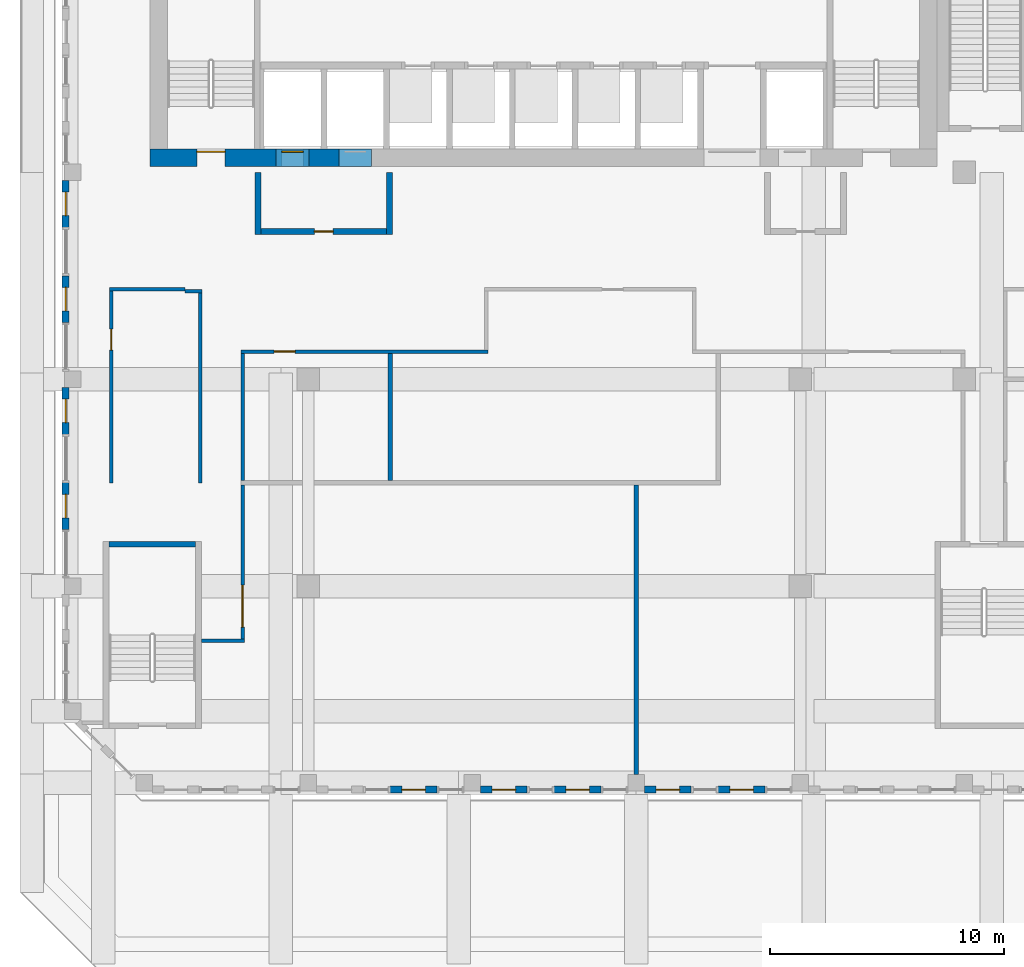
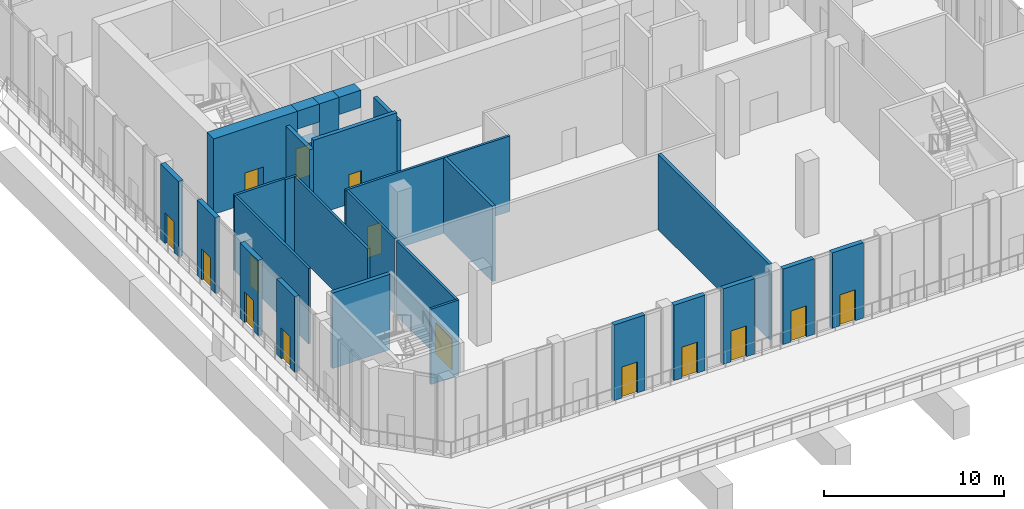
# One storey, part 9 of 18: 28 walls, 15 doors, 15 openings.
"""IFC4 building model written with IfcOpenShell, lengths in metres."""

from ifc_helpers import new_model, si_unit, direction, frame, frame_2d, origin, place, context, subcontext, project, spatial, rectangle, extrude, source, transform, mapped, material, layer, layer_set, type_object, element, fill, save


model = new_model("IFC4")

# Units and contexts
model_context = context("Model", 3, precision=1e-05, world=origin(), true_north=direction((0.0, 1.0)))
body_context = subcontext(model_context, "Body", "Model", "MODEL_VIEW")
ifc_project = project(units=[si_unit("LENGTHUNIT", "METRE"), si_unit("AREAUNIT", "SQUARE_METRE"), si_unit("VOLUMEUNIT", "CUBIC_METRE"), si_unit("PLANEANGLEUNIT", "RADIAN"), si_unit("MASSUNIT", "GRAM", prefix="KILO")], contexts=[model_context])

# Site, building, storey
site_placement = place(None, origin())
site = spatial("IfcSite", under=ifc_project, at=site_placement, CompositionType="ELEMENT")
building_placement = place(site_placement, origin())
building = spatial("IfcBuilding", under=site, at=building_placement, Name="Kilnfold Tower and Market Hall", CompositionType="ELEMENT")
storey_placement = place(building_placement, frame((0.0, 0.0, 233.60009765625)))
storey = spatial("IfcBuildingStorey", under=building, at=storey_placement, Name="L56", CompositionType="ELEMENT", Elevation=233.60009765625)

# Walls
ifc_material_1 = material(Name="Gypsum board on steel studs", Category="steel")
ifc_layer_1 = layer(ifc_material_1, 0.14990234375)
ifc_layer_set_1 = layer_set([ifc_layer_1], Name="Gypsum board on steel studs")
wall_type_1 = type_object("IfcWallType", Name="WALL CORRIDOR 150", PredefinedType="PARTITIONING", material=ifc_layer_set_1)
wall_1_placement = place(storey_placement, frame((-13.60009765625, 2.85009765625, 0.0), z_axis=(0.0, 0.0, 1.0), x_axis=(0.0, -1.0, 0.0)))
element("IfcWall", 1, at=wall_1_placement, inside=storey, type_object=wall_type_1, Name="Partition LY34.1", PredefinedType="PARTITIONING", context=body_context, shape_type="SweptSolid", body=[
    extrude(rectangle(XDim=8.110107421875, YDim=0.14990234375, at=frame_2d((4.05517578125, 0.0))), origin(), (0.0, 0.0, 1.0), 5.119873046875),
])
wall_2_placement = place(storey_placement, frame((-14.260009765625, 2.925048828125, 0.0), z_axis=(0.0, 0.0, 1.0), x_axis=(1.0, 0.0, 0.0)))
element("IfcWall", 2, at=wall_2_placement, inside=storey, type_object=wall_type_1, Name="Partition LY34.2", PredefinedType="PARTITIONING", context=body_context, shape_type="SweptSolid", body=[
    extrude(rectangle(XDim=0.735107421875, YDim=0.14990234375, at=frame_2d((0.36767578125, 0.0))), origin(), (0.0, 0.0, 1.0), 5.119873046875),
])
wall_3_placement = place(storey_placement, frame((-17.47509765625, 3.0, 0.0), z_axis=(0.0, 0.0, 1.0), x_axis=(1.0, 0.0, 0.0)))
element("IfcWall", 3, at=wall_3_placement, inside=storey, type_object=wall_type_1, Name="Partition LY34.3", PredefinedType="PARTITIONING", context=body_context, shape_type="SweptSolid", body=[
    extrude(rectangle(XDim=3.215087890625, YDim=0.14990234375, at=frame_2d((1.607421875, 0.0))), origin(), (0.0, 0.0, 1.0), 5.119873046875),
])

# Wall, opening, door
wall_4_placement = place(storey_placement, frame((-17.39990234375, -5.260009765625, 0.0), z_axis=(0.0, 0.0, 1.0), x_axis=(0.0, 1.0, 0.0)))
wall_4 = element("IfcWall", 4, at=wall_4_placement, inside=storey, type_object=wall_type_1, Name="Partition LY34.4", PredefinedType="PARTITIONING", context=body_context, shape_type="SweptSolid", body=[
    extrude(rectangle(XDim=8.18505859375, YDim=0.14990234375, at=frame_2d((4.092529296875, 0.0))), origin(), (0.0, 0.0, 1.0), 5.119873046875),
])
opening_1_placement = place(wall_4_placement, frame((5.6669921875, 0.0, 0.0)))
opening_1 = element("IfcOpeningElement", 5, at=opening_1_placement, cuts=wall_4, Name="Opening D3", PredefinedType="OPENING", context=body_context, shape_type="SweptSolid", body=[
    extrude(rectangle(XDim=0.89990234375, YDim=2.10009765625, at=frame_2d((0.449951171875, 1.050048828125))), frame((0.0, 0.0849609375, 0.0), z_axis=(0.0, -1.0, 0.0), x_axis=(1.0, 0.0, 0.0)), (0.0, 0.0, 1.0), 0.169921875),
])
ifc_material_2 = material(Name="Timber veneer door leaf in steel frame", Category="steel")
door_type_1 = type_object("IfcDoorType", Name="DOOR WC 900 X2100", OperationType="NOTDEFINED", PredefinedType="DOOR", material=ifc_material_2)
door_1_placement = place(opening_1_placement, origin())
door_1 = element("IfcDoor", 6, at=door_1_placement, inside=storey, type_object=door_type_1, Name="Door D3", OperationType="SINGLE_SWING_LEFT", OverallHeight=2.10009765625, OverallWidth=0.89990234375, PredefinedType="DOOR", context=body_context, shape_type="SweptSolid", body=[
    extrude(rectangle(XDim=0.89990234375, YDim=2.10009765625, at=frame_2d((0.449951171875, 1.050048828125))), frame((0.0, 0.02490234375, 0.0), z_axis=(0.0, -1.0, 0.0), x_axis=(1.0, 0.0, 0.0)), (0.0, 0.0, 1.0), 0.050048828125),
])
fill(opening_1, door_1)

wall_5_placement = place(storey_placement, frame((-11.875, 0.35009765625, 0.0), z_axis=(0.0, 0.0, 1.0), x_axis=(1.0, 0.0, 0.0)))
wall_5 = element("IfcWall", 7, at=wall_5_placement, inside=storey, type_object=wall_type_1, Name="Partition LY34.5", PredefinedType="PARTITIONING", context=body_context, shape_type="SweptSolid", body=[
    extrude(rectangle(XDim=10.550048828125, YDim=0.14990234375, at=frame_2d((5.27490234375, 0.0))), origin(), (0.0, 0.0, 1.0), 5.119873046875),
])
opening_2_placement = place(wall_5_placement, frame((1.419921875, 0.0, 0.0)))
opening_2 = element("IfcOpeningElement", 8, at=opening_2_placement, cuts=wall_5, Name="Opening D3", PredefinedType="OPENING", context=body_context, shape_type="SweptSolid", body=[
    extrude(rectangle(XDim=0.89990234375, YDim=2.10009765625, at=frame_2d((0.449951171875, 1.050048828125))), frame((0.0, 0.0849609375, 0.0), z_axis=(0.0, -1.0, 0.0), x_axis=(1.0, 0.0, 0.0)), (0.0, 0.0, 1.0), 0.169921875),
])
door_2_placement = place(opening_2_placement, origin())
door_2 = element("IfcDoor", 9, at=door_2_placement, inside=storey, type_object=door_type_1, Name="Door D3", OperationType="SINGLE_SWING_LEFT", OverallHeight=2.10009765625, OverallWidth=0.89990234375, PredefinedType="DOOR", context=body_context, shape_type="SweptSolid", body=[
    extrude(rectangle(XDim=0.89990234375, YDim=2.10009765625, at=frame_2d((0.449951171875, 1.050048828125))), frame((0.0, 0.02490234375, 0.0), z_axis=(0.0, -1.0, 0.0), x_axis=(1.0, 0.0, 0.0)), (0.0, 0.0, 1.0), 0.050048828125),
])
fill(opening_2, door_2)

# Wall
wall_6_placement = place(storey_placement, frame((-11.800048828125, -5.159912109375, 0.0), z_axis=(0.0, 0.0, 1.0), x_axis=(0.0, 1.0, 0.0)))
element("IfcWall", 10, at=wall_6_placement, inside=storey, type_object=wall_type_1, Name="Partition LY34.6", PredefinedType="PARTITIONING", context=body_context, shape_type="SweptSolid", body=[
    extrude(rectangle(XDim=5.434814453125, YDim=0.14990234375, at=frame_2d((2.71728515625, 0.0))), origin(), (0.0, 0.0, 1.0), 5.119873046875),
])

# Wall, opening, door
wall_7_placement = place(storey_placement, frame((-11.800048828125, -11.925048828125, 0.0), z_axis=(0.0, 0.0, 1.0), x_axis=(0.0, 1.0, 0.0)))
wall_7 = element("IfcWall", 11, at=wall_7_placement, inside=storey, type_object=wall_type_1, Name="Partition LY34.7", PredefinedType="PARTITIONING", context=body_context, shape_type="SweptSolid", body=[
    extrude(rectangle(XDim=6.5849609375, YDim=0.14990234375, at=frame_2d((3.29248046875, 0.0))), origin(), (0.0, 0.0, 1.0), 5.119873046875),
])
opening_3_placement = place(wall_7_placement, frame((0.506103515625, 0.0, 0.0)))
opening_3 = element("IfcOpeningElement", 12, at=opening_3_placement, cuts=wall_7, Name="Opening D5", PredefinedType="OPENING", context=body_context, shape_type="SweptSolid", body=[
    extrude(rectangle(XDim=1.800048828125, YDim=2.10009765625, at=frame_2d((0.89990234375, 1.050048828125))), frame((0.0, 0.0849609375, 0.0), z_axis=(0.0, -1.0, 0.0), x_axis=(1.0, 0.0, 0.0)), (0.0, 0.0, 1.0), 0.169921875),
])
ifc_material_3 = material(Name="Timber veneer door leaf in steel frame", Category="steel")
door_type_2 = type_object("IfcDoorType", Name="DOOR DOUBLE 1800 X2100", OperationType="NOTDEFINED", PredefinedType="DOOR", material=ifc_material_3)
door_3_placement = place(opening_3_placement, origin())
door_3 = element("IfcDoor", 13, at=door_3_placement, inside=storey, type_object=door_type_2, Name="Door D5", OperationType="DOUBLE_DOOR_SINGLE_SWING", OverallHeight=2.10009765625, OverallWidth=1.800048828125, PredefinedType="DOOR", context=body_context, shape_type="SweptSolid", body=[
    extrude(rectangle(XDim=1.800048828125, YDim=2.10009765625, at=frame_2d((0.89990234375, 1.050048828125))), frame((0.0, 0.02490234375, 0.0), z_axis=(0.0, -1.0, 0.0), x_axis=(1.0, 0.0, 0.0)), (0.0, 0.0, 1.0), 0.050048828125),
])
fill(opening_3, door_3)

# Walls
wall_8_placement = place(storey_placement, frame((-13.549072265625, -12.0, 0.0), z_axis=(0.0, 0.0, 1.0), x_axis=(1.0, 0.0, 0.0)))
element("IfcWall", 14, at=wall_8_placement, inside=storey, type_object=wall_type_1, Name="Partition LY34.8", PredefinedType="PARTITIONING", context=body_context, shape_type="SweptSolid", body=[
    extrude(rectangle(XDim=1.823974609375, YDim=0.14990234375, at=frame_2d((0.912109375, 0.0))), origin(), (0.0, 0.0, 1.0), 5.119873046875),
])
ifc_material_4 = material(Name="Gypsum board on steel studs", Category="steel")
ifc_layer_2 = layer(ifc_material_4, 0.199951171875)
ifc_layer_set_2 = layer_set([ifc_layer_2], Name="Gypsum board on steel studs")
wall_type_2 = type_object("IfcWallType", Name="WALL PARTY 200", PredefinedType="PARTITIONING", material=ifc_layer_set_2)
wall_9_placement = place(storey_placement, frame((-5.5, -5.14990234375, 0.0), z_axis=(0.0, 0.0, 1.0), x_axis=(0.0, 1.0, 0.0)))
element("IfcWall", 15, at=wall_9_placement, inside=storey, type_object=wall_type_2, Name="Partition LY34.27", PredefinedType="PARTITIONING", context=body_context, shape_type="SweptSolid", body=[
    extrude(rectangle(XDim=5.4228515625, YDim=0.199951171875, at=frame_2d((2.71142578125, 0.0))), origin(), (0.0, 0.0, 1.0), 5.119873046875),
])
wall_10_placement = place(storey_placement, frame((5.0, -17.699951171875, 0.0), z_axis=(0.0, 0.0, 1.0), x_axis=(0.0, 1.0, 0.0)))
element("IfcWall", 16, at=wall_10_placement, inside=storey, type_object=wall_type_2, Name="Partition LY34.28", PredefinedType="PARTITIONING", context=body_context, shape_type="SweptSolid", body=[
    extrude(rectangle(XDim=12.349853515625, YDim=0.199951171875, at=frame_2d((6.1748046875, 0.0))), origin(), (0.0, 0.0, 1.0), 5.119873046875),
])

# Wall, opening, door
ifc_material_5 = material(Name="Concrete C60", Category="concrete")
ifc_layer_3 = layer(ifc_material_5, 0.75)
ifc_layer_set_3 = layer_set([ifc_layer_3], Name="Concrete C60")
wall_type_3 = type_object("IfcWallType", Name="CORE WALL 750 C60", PredefinedType="SHEAR", material=ifc_layer_set_3)
shared_shape_1 = source(origin(), body_context, "Body", "SweptSolid", [
    extrude(rectangle(XDim=5.3798828125, YDim=0.75, at=frame_2d((2.68994140625, 0.0))), origin(), (0.0, 0.0, 1.0), 5.119873046875),
])
wall_11_placement = place(storey_placement, frame((-15.75, 8.625, 0.0), z_axis=(0.0, 0.0, 1.0), x_axis=(1.0, 0.0, 0.0)))
wall_11 = element("IfcWall", 17, at=wall_11_placement, inside=storey, type_object=wall_type_3, Name="Core outer wall south", PredefinedType="SHEAR", context=body_context, shape_type="MappedRepresentation", body=[
    mapped(shared_shape_1, transform((0.0, 0.0, 0.0))),
])
opening_4_placement = place(wall_11_placement, frame((2.0, 0.0, 0.0)))
opening_4 = element("IfcOpeningElement", 18, at=opening_4_placement, cuts=wall_11, Name="Opening SD1", PredefinedType="OPENING", context=body_context, shape_type="SweptSolid", body=[
    extrude(rectangle(XDim=1.199951171875, YDim=2.10009765625, at=frame_2d((0.60009765625, 1.050048828125))), frame((0.0, 0.385009765625, 0.0), z_axis=(0.0, -1.0, 0.0), x_axis=(1.0, 0.0, 0.0)), (0.0, 0.0, 1.0), 0.77001953125),
])
ifc_material_6 = material(Name="Steel door set with fire-resisting leaf", Category="steel")
door_type_3 = type_object("IfcDoorType", Name="STAIR FLOOR DOOR 1200X2100", OperationType="NOTDEFINED", PredefinedType="DOOR", material=ifc_material_6)
door_4_placement = place(opening_4_placement, origin())
door_4 = element("IfcDoor", 19, at=door_4_placement, inside=storey, type_object=door_type_3, Name="Exit stair ST1 door", OperationType="DOUBLE_DOOR_SINGLE_SWING", OverallHeight=2.10009765625, OverallWidth=1.199951171875, PredefinedType="DOOR", context=body_context, shape_type="SweptSolid", body=[
    extrude(rectangle(XDim=1.199951171875, YDim=2.10009765625, at=frame_2d((0.60009765625, 1.050048828125))), frame((0.0, 0.27978515625, 0.0), z_axis=(0.0, -1.0, 0.0), x_axis=(1.0, 0.0, 0.0)), (0.0, 0.0, 1.0), 0.050048828125),
])
fill(opening_4, door_4)

# Walls
shared_shape_2 = source(origin(), body_context, "Body", "SweptSolid", [
    extrude(rectangle(XDim=1.280029296875, YDim=0.75, at=frame_2d((0.64013671875, 0.0))), origin(), (0.0, 0.0, 1.0), 5.119873046875),
])
wall_12_placement = place(storey_placement, frame((-8.969970703125, 8.625, 0.0), z_axis=(0.0, 0.0, 1.0), x_axis=(1.0, 0.0, 0.0)))
element("IfcWall", 20, at=wall_12_placement, inside=storey, type_object=wall_type_3, Name="Core outer wall south", PredefinedType="SHEAR", context=body_context, shape_type="MappedRepresentation", body=[
    mapped(shared_shape_2, transform((0.0, 0.0, 0.0))),
])
ifc_material_7 = material(Name="Concrete C60", Category="concrete")
ifc_layer_4 = layer(ifc_material_7, 0.25)
ifc_layer_set_4 = layer_set([ifc_layer_4], Name="Concrete C60")
wall_type_4 = type_object("IfcWallType", Name="CORE WALL 250 C60", PredefinedType="SHEAR", material=ifc_layer_set_4)
shared_shape_3 = source(origin(), body_context, "Body", "SweptSolid", [
    extrude(rectangle(XDim=3.699951171875, YDim=0.25, at=frame_2d((1.85009765625, 0.0))), origin(), (0.0, 0.0, 1.0), 5.119873046875),
])
wall_13_placement = place(storey_placement, frame((-17.5, -7.875, 0.0), z_axis=(0.0, 0.0, 1.0), x_axis=(1.0, 0.0, 0.0)))
element("IfcWall", 21, at=wall_13_placement, inside=storey, type_object=wall_type_4, Name="Stair enclosure ST3", PredefinedType="SHEAR", context=body_context, shape_type="MappedRepresentation", body=[
    mapped(shared_shape_3, transform((0.0, 0.0, 0.0))),
])
shared_shape_4 = source(origin(), body_context, "Body", "SweptSolid", [
    extrude(rectangle(XDim=1.400146484375, YDim=0.75, at=frame_2d((0.7001953125, 0.0))), origin(), (0.0, 0.0, 1.0), 1.219970703125),
])
wall_14_placement = place(storey_placement, frame((-10.3701171875, 8.625, 3.89990234375), z_axis=(0.0, 0.0, 1.0), x_axis=(1.0, 0.0, 0.0)))
element("IfcWall", 22, at=wall_14_placement, inside=storey, type_object=wall_type_3, Name="Core wall over opening", PredefinedType="SHEAR", context=body_context, shape_type="MappedRepresentation", body=[
    mapped(shared_shape_4, transform((0.0, 0.0, 0.0))),
])
shared_shape_5 = source(origin(), body_context, "Body", "SweptSolid", [
    extrude(rectangle(XDim=1.39990234375, YDim=0.75, at=frame_2d((0.699951171875, 0.0))), origin(), (0.0, 0.0, 1.0), 1.169921875),
])
wall_15_placement = place(storey_placement, frame((-7.68994140625, 8.625, 3.949951171875), z_axis=(0.0, 0.0, 1.0), x_axis=(1.0, 0.0, 0.0)))
element("IfcWall", 23, at=wall_15_placement, inside=storey, type_object=wall_type_3, Name="Core wall over opening", PredefinedType="SHEAR", context=body_context, shape_type="MappedRepresentation", body=[
    mapped(shared_shape_5, transform((0.0, 0.0, 0.0))),
])

# Wall, opening, door
ifc_material_8 = material(Name="Precast concrete C50/60", Category="concrete")
ifc_layer_5 = layer(ifc_material_8, 0.300048828125)
ifc_layer_set_5 = layer_set([ifc_layer_5], Name="Precast concrete C50/60")
wall_type_5 = type_object("IfcWallType", Name="PRECAST WALL 300", PredefinedType="SOLIDWALL", material=ifc_layer_set_5)
shared_shape_6 = source(origin(), body_context, "Body", "SweptSolid", [
    extrude(rectangle(XDim=2.0, YDim=0.300048828125, at=frame_2d((1.0, 0.0))), origin(), (0.0, 0.0, 1.0), 5.119873046875),
])
wall_16_placement = place(storey_placement, frame((-5.5, -18.35009765625, 0.0), z_axis=(0.0, 0.0, 1.0), x_axis=(1.0, 0.0, 0.0)))
wall_16 = element("IfcWall", 24, at=wall_16_placement, inside=storey, type_object=wall_type_5, Name="External wall L56 S", PredefinedType="SOLIDWALL", context=body_context, shape_type="MappedRepresentation", body=[
    mapped(shared_shape_6, transform((0.0, 0.0, 0.0))),
])
opening_5_placement = place(wall_16_placement, frame((0.5, 0.0, 0.0)))
opening_5 = element("IfcOpeningElement", 25, at=opening_5_placement, cuts=wall_16, Name="Opening BD1", PredefinedType="OPENING", context=body_context, shape_type="SweptSolid", body=[
    extrude(rectangle(XDim=1.0, YDim=2.10009765625, at=frame_2d((0.5, 1.050048828125))), frame((0.0, 0.16015625, 0.0), z_axis=(0.0, -1.0, 0.0), x_axis=(1.0, 0.0, 0.0)), (0.0, 0.0, 1.0), 0.320068359375),
])
ifc_material_9 = material(Name="Aluminium frame and double glazing", Category="aluminium")
door_type_4 = type_object("IfcDoorType", Name="BALCONY DOOR 1000X2100", OperationType="NOTDEFINED", PredefinedType="DOOR", material=ifc_material_9)
door_5_placement = place(opening_5_placement, origin())
door_5 = element("IfcDoor", 26, at=door_5_placement, inside=storey, type_object=door_type_4, Name="Balcony door BD1 L56 S-2", OperationType="SINGLE_SWING_RIGHT", OverallHeight=2.10009765625, OverallWidth=1.0, PredefinedType="DOOR", context=body_context, shape_type="SweptSolid", body=[
    extrude(rectangle(XDim=1.0, YDim=2.10009765625, at=frame_2d((0.5, 1.050048828125))), frame((0.0, 0.02490234375, 0.0), z_axis=(0.0, -1.0, 0.0), x_axis=(1.0, 0.0, 0.0)), (0.0, 0.0, 1.0), 0.050048828125),
])
fill(opening_5, door_5)

wall_17_placement = place(storey_placement, frame((-1.64990234375, -18.35009765625, 0.0), z_axis=(0.0, 0.0, 1.0), x_axis=(1.0, 0.0, 0.0)))
wall_17 = element("IfcWall", 27, at=wall_17_placement, inside=storey, type_object=wall_type_5, Name="External wall L56 S", PredefinedType="SOLIDWALL", context=body_context, shape_type="MappedRepresentation", body=[
    mapped(shared_shape_6, transform((0.0, 0.0, 0.0))),
])
opening_6_placement = place(wall_17_placement, frame((0.5, 0.0, 0.0)))
opening_6 = element("IfcOpeningElement", 28, at=opening_6_placement, cuts=wall_17, Name="Opening BD1", PredefinedType="OPENING", context=body_context, shape_type="SweptSolid", body=[
    extrude(rectangle(XDim=1.0, YDim=2.10009765625, at=frame_2d((0.5, 1.050048828125))), frame((0.0, 0.16015625, 0.0), z_axis=(0.0, -1.0, 0.0), x_axis=(1.0, 0.0, 0.0)), (0.0, 0.0, 1.0), 0.320068359375),
])
door_6_placement = place(opening_6_placement, origin())
door_6 = element("IfcDoor", 29, at=door_6_placement, inside=storey, type_object=door_type_4, Name="Balcony door BD1 L56 S-1", OperationType="SINGLE_SWING_LEFT", OverallHeight=2.10009765625, OverallWidth=1.0, PredefinedType="DOOR", context=body_context, shape_type="SweptSolid", body=[
    extrude(rectangle(XDim=1.0, YDim=2.10009765625, at=frame_2d((0.5, 1.050048828125))), frame((0.0, 0.02490234375, 0.0), z_axis=(0.0, -1.0, 0.0), x_axis=(1.0, 0.0, 0.0)), (0.0, 0.0, 1.0), 0.050048828125),
])
fill(opening_6, door_6)

wall_18_placement = place(storey_placement, frame((1.5, -18.35009765625, 0.0), z_axis=(0.0, 0.0, 1.0), x_axis=(1.0, 0.0, 0.0)))
wall_18 = element("IfcWall", 30, at=wall_18_placement, inside=storey, type_object=wall_type_5, Name="External wall L56 S", PredefinedType="SOLIDWALL", context=body_context, shape_type="MappedRepresentation", body=[
    mapped(shared_shape_6, transform((0.0, 0.0, 0.0))),
])
opening_7_placement = place(wall_18_placement, frame((0.5, 0.0, 0.0)))
opening_7 = element("IfcOpeningElement", 31, at=opening_7_placement, cuts=wall_18, Name="Opening BD1", PredefinedType="OPENING", context=body_context, shape_type="SweptSolid", body=[
    extrude(rectangle(XDim=1.0, YDim=2.10009765625, at=frame_2d((0.5, 1.050048828125))), frame((0.0, 0.16015625, 0.0), z_axis=(0.0, -1.0, 0.0), x_axis=(1.0, 0.0, 0.0)), (0.0, 0.0, 1.0), 0.320068359375),
])
door_7_placement = place(opening_7_placement, origin())
door_7 = element("IfcDoor", 32, at=door_7_placement, inside=storey, type_object=door_type_4, Name="Balcony door BD1 L56 S-2", OperationType="SINGLE_SWING_RIGHT", OverallHeight=2.10009765625, OverallWidth=1.0, PredefinedType="DOOR", context=body_context, shape_type="SweptSolid", body=[
    extrude(rectangle(XDim=1.0, YDim=2.10009765625, at=frame_2d((0.5, 1.050048828125))), frame((0.0, 0.02490234375, 0.0), z_axis=(0.0, -1.0, 0.0), x_axis=(1.0, 0.0, 0.0)), (0.0, 0.0, 1.0), 0.050048828125),
])
fill(opening_7, door_7)

wall_19_placement = place(storey_placement, frame((5.35009765625, -18.35009765625, 0.0), z_axis=(0.0, 0.0, 1.0), x_axis=(1.0, 0.0, 0.0)))
wall_19 = element("IfcWall", 33, at=wall_19_placement, inside=storey, type_object=wall_type_5, Name="External wall L56 S", PredefinedType="SOLIDWALL", context=body_context, shape_type="MappedRepresentation", body=[
    mapped(shared_shape_6, transform((0.0, 0.0, 0.0))),
])
opening_8_placement = place(wall_19_placement, frame((0.5, 0.0, 0.0)))
opening_8 = element("IfcOpeningElement", 34, at=opening_8_placement, cuts=wall_19, Name="Opening BD1", PredefinedType="OPENING", context=body_context, shape_type="SweptSolid", body=[
    extrude(rectangle(XDim=1.0, YDim=2.10009765625, at=frame_2d((0.5, 1.050048828125))), frame((0.0, 0.16015625, 0.0), z_axis=(0.0, -1.0, 0.0), x_axis=(1.0, 0.0, 0.0)), (0.0, 0.0, 1.0), 0.320068359375),
])
door_8_placement = place(opening_8_placement, origin())
door_8 = element("IfcDoor", 35, at=door_8_placement, inside=storey, type_object=door_type_4, Name="Balcony door BD1 L56 S-1", OperationType="SINGLE_SWING_LEFT", OverallHeight=2.10009765625, OverallWidth=1.0, PredefinedType="DOOR", context=body_context, shape_type="SweptSolid", body=[
    extrude(rectangle(XDim=1.0, YDim=2.10009765625, at=frame_2d((0.5, 1.050048828125))), frame((0.0, 0.02490234375, 0.0), z_axis=(0.0, -1.0, 0.0), x_axis=(1.0, 0.0, 0.0)), (0.0, 0.0, 1.0), 0.050048828125),
])
fill(opening_8, door_8)

wall_20_placement = place(storey_placement, frame((8.5, -18.35009765625, 0.0), z_axis=(0.0, 0.0, 1.0), x_axis=(1.0, 0.0, 0.0)))
wall_20 = element("IfcWall", 36, at=wall_20_placement, inside=storey, type_object=wall_type_5, Name="External wall L56 S", PredefinedType="SOLIDWALL", context=body_context, shape_type="MappedRepresentation", body=[
    mapped(shared_shape_6, transform((0.0, 0.0, 0.0))),
])
opening_9_placement = place(wall_20_placement, frame((0.5, 0.0, 0.0)))
opening_9 = element("IfcOpeningElement", 37, at=opening_9_placement, cuts=wall_20, Name="Opening BD1", PredefinedType="OPENING", context=body_context, shape_type="SweptSolid", body=[
    extrude(rectangle(XDim=1.0, YDim=2.10009765625, at=frame_2d((0.5, 1.050048828125))), frame((0.0, 0.16015625, 0.0), z_axis=(0.0, -1.0, 0.0), x_axis=(1.0, 0.0, 0.0)), (0.0, 0.0, 1.0), 0.320068359375),
])
door_9_placement = place(opening_9_placement, origin())
door_9 = element("IfcDoor", 38, at=door_9_placement, inside=storey, type_object=door_type_4, Name="Balcony door BD1 L56 S-2", OperationType="SINGLE_SWING_RIGHT", OverallHeight=2.10009765625, OverallWidth=1.0, PredefinedType="DOOR", context=body_context, shape_type="SweptSolid", body=[
    extrude(rectangle(XDim=1.0, YDim=2.10009765625, at=frame_2d((0.5, 1.050048828125))), frame((0.0, 0.02490234375, 0.0), z_axis=(0.0, -1.0, 0.0), x_axis=(1.0, 0.0, 0.0)), (0.0, 0.0, 1.0), 0.050048828125),
])
fill(opening_9, door_9)

wall_21_placement = place(storey_placement, frame((-19.35009765625, 7.64990234375, 0.0), z_axis=(0.0, 0.0, 1.0), x_axis=(0.0, -1.0, 0.0)))
wall_21 = element("IfcWall", 39, at=wall_21_placement, inside=storey, type_object=wall_type_5, Name="External wall L56 W", PredefinedType="SOLIDWALL", context=body_context, shape_type="MappedRepresentation", body=[
    mapped(shared_shape_6, transform((0.0, 0.0, 0.0))),
])
opening_10_placement = place(wall_21_placement, frame((0.5, 0.0, 0.0)))
opening_10 = element("IfcOpeningElement", 40, at=opening_10_placement, cuts=wall_21, Name="Opening BD1", PredefinedType="OPENING", context=body_context, shape_type="SweptSolid", body=[
    extrude(rectangle(XDim=1.0, YDim=2.10009765625, at=frame_2d((0.5, 1.050048828125))), frame((0.0, 0.16015625, 0.0), z_axis=(0.0, -1.0, 0.0), x_axis=(1.0, 0.0, 0.0)), (0.0, 0.0, 1.0), 0.320068359375),
])
door_10_placement = place(opening_10_placement, origin())
door_10 = element("IfcDoor", 41, at=door_10_placement, inside=storey, type_object=door_type_4, Name="Balcony door BD1 L56 W-1", OperationType="SINGLE_SWING_LEFT", OverallHeight=2.10009765625, OverallWidth=1.0, PredefinedType="DOOR", context=body_context, shape_type="SweptSolid", body=[
    extrude(rectangle(XDim=1.0, YDim=2.10009765625, at=frame_2d((0.5, 1.050048828125))), frame((0.0, 0.02490234375, 0.0), z_axis=(0.0, -1.0, 0.0), x_axis=(1.0, 0.0, 0.0)), (0.0, 0.0, 1.0), 0.050048828125),
])
fill(opening_10, door_10)

wall_22_placement = place(storey_placement, frame((-19.35009765625, 3.583251953125, 0.0), z_axis=(0.0, 0.0, 1.0), x_axis=(0.0, -1.0, 0.0)))
wall_22 = element("IfcWall", 42, at=wall_22_placement, inside=storey, type_object=wall_type_5, Name="External wall L56 W", PredefinedType="SOLIDWALL", context=body_context, shape_type="MappedRepresentation", body=[
    mapped(shared_shape_6, transform((0.0, 0.0, 0.0))),
])
opening_11_placement = place(wall_22_placement, frame((0.5, 0.0, 0.0)))
opening_11 = element("IfcOpeningElement", 43, at=opening_11_placement, cuts=wall_22, Name="Opening BD1", PredefinedType="OPENING", context=body_context, shape_type="SweptSolid", body=[
    extrude(rectangle(XDim=1.0, YDim=2.10009765625, at=frame_2d((0.5, 1.050048828125))), frame((0.0, 0.16015625, 0.0), z_axis=(0.0, -1.0, 0.0), x_axis=(1.0, 0.0, 0.0)), (0.0, 0.0, 1.0), 0.320068359375),
])
door_11_placement = place(opening_11_placement, origin())
door_11 = element("IfcDoor", 44, at=door_11_placement, inside=storey, type_object=door_type_4, Name="Balcony door BD1 L56 W-2", OperationType="SINGLE_SWING_RIGHT", OverallHeight=2.10009765625, OverallWidth=1.0, PredefinedType="DOOR", context=body_context, shape_type="SweptSolid", body=[
    extrude(rectangle(XDim=1.0, YDim=2.10009765625, at=frame_2d((0.5, 1.050048828125))), frame((0.0, 0.02490234375, 0.0), z_axis=(0.0, -1.0, 0.0), x_axis=(1.0, 0.0, 0.0)), (0.0, 0.0, 1.0), 0.050048828125),
])
fill(opening_11, door_11)

wall_23_placement = place(storey_placement, frame((-19.35009765625, -1.183349609375, 0.0), z_axis=(0.0, 0.0, 1.0), x_axis=(0.0, -1.0, 0.0)))
wall_23 = element("IfcWall", 45, at=wall_23_placement, inside=storey, type_object=wall_type_5, Name="External wall L56 W", PredefinedType="SOLIDWALL", context=body_context, shape_type="MappedRepresentation", body=[
    mapped(shared_shape_6, transform((0.0, 0.0, 0.0))),
])
opening_12_placement = place(wall_23_placement, frame((0.5, 0.0, 0.0)))
opening_12 = element("IfcOpeningElement", 46, at=opening_12_placement, cuts=wall_23, Name="Opening BD1", PredefinedType="OPENING", context=body_context, shape_type="SweptSolid", body=[
    extrude(rectangle(XDim=1.0, YDim=2.10009765625, at=frame_2d((0.5, 1.050048828125))), frame((0.0, 0.16015625, 0.0), z_axis=(0.0, -1.0, 0.0), x_axis=(1.0, 0.0, 0.0)), (0.0, 0.0, 1.0), 0.320068359375),
])
door_12_placement = place(opening_12_placement, origin())
door_12 = element("IfcDoor", 47, at=door_12_placement, inside=storey, type_object=door_type_4, Name="Balcony door BD1 L56 W-1", OperationType="SINGLE_SWING_LEFT", OverallHeight=2.10009765625, OverallWidth=1.0, PredefinedType="DOOR", context=body_context, shape_type="SweptSolid", body=[
    extrude(rectangle(XDim=1.0, YDim=2.10009765625, at=frame_2d((0.5, 1.050048828125))), frame((0.0, 0.02490234375, 0.0), z_axis=(0.0, -1.0, 0.0), x_axis=(1.0, 0.0, 0.0)), (0.0, 0.0, 1.0), 0.050048828125),
])
fill(opening_12, door_12)

wall_24_placement = place(storey_placement, frame((-19.35009765625, -5.25, 0.0), z_axis=(0.0, 0.0, 1.0), x_axis=(0.0, -1.0, 0.0)))
wall_24 = element("IfcWall", 48, at=wall_24_placement, inside=storey, type_object=wall_type_5, Name="External wall L56 W", PredefinedType="SOLIDWALL", context=body_context, shape_type="MappedRepresentation", body=[
    mapped(shared_shape_6, transform((0.0, 0.0, 0.0))),
])
opening_13_placement = place(wall_24_placement, frame((0.5, 0.0, 0.0)))
opening_13 = element("IfcOpeningElement", 49, at=opening_13_placement, cuts=wall_24, Name="Opening BD1", PredefinedType="OPENING", context=body_context, shape_type="SweptSolid", body=[
    extrude(rectangle(XDim=1.0, YDim=2.10009765625, at=frame_2d((0.5, 1.050048828125))), frame((0.0, 0.16015625, 0.0), z_axis=(0.0, -1.0, 0.0), x_axis=(1.0, 0.0, 0.0)), (0.0, 0.0, 1.0), 0.320068359375),
])
door_13_placement = place(opening_13_placement, origin())
door_13 = element("IfcDoor", 50, at=door_13_placement, inside=storey, type_object=door_type_4, Name="Balcony door BD1 L56 W-2", OperationType="SINGLE_SWING_RIGHT", OverallHeight=2.10009765625, OverallWidth=1.0, PredefinedType="DOOR", context=body_context, shape_type="SweptSolid", body=[
    extrude(rectangle(XDim=1.0, YDim=2.10009765625, at=frame_2d((0.5, 1.050048828125))), frame((0.0, 0.02490234375, 0.0), z_axis=(0.0, -1.0, 0.0), x_axis=(1.0, 0.0, 0.0)), (0.0, 0.0, 1.0), 0.050048828125),
])
fill(opening_13, door_13)

ifc_material_10 = material(Name="Gypsum shaft wall system")
ifc_layer_6 = layer(ifc_material_10, 0.75)
ifc_layer_set_6 = layer_set([ifc_layer_6], Name="Gypsum shaft wall system")
wall_type_6 = type_object("IfcWallType", Name="LOBBY WALL 750", PredefinedType="PARTITIONING", material=ifc_layer_set_6)
shared_shape_7 = source(origin(), body_context, "Body", "SweptSolid", [
    extrude(rectangle(XDim=1.400146484375, YDim=0.75, at=frame_2d((0.7001953125, 0.0))), origin(), (0.0, 0.0, 1.0), 2.699951171875),
])
wall_25_placement = place(storey_placement, frame((-10.3701171875, 8.625, 0.0), z_axis=(0.0, 0.0, 1.0), x_axis=(1.0, 0.0, 0.0)))
wall_25 = element("IfcWall", 51, at=wall_25_placement, inside=storey, type_object=wall_type_6, Name="Core wall infill", PredefinedType="PARTITIONING", context=body_context, shape_type="MappedRepresentation", body=[
    mapped(shared_shape_7, transform((0.0, 0.0, 0.0))),
])
opening_14_placement = place(wall_25_placement, frame((0.25, 0.0, 0.0)))
opening_14 = element("IfcOpeningElement", 52, at=opening_14_placement, cuts=wall_25, Name="Opening LD1", PredefinedType="OPENING", context=body_context, shape_type="SweptSolid", body=[
    extrude(rectangle(XDim=0.89990234375, YDim=2.10009765625, at=frame_2d((0.449951171875, 1.050048828125))), frame((0.0, 0.385009765625, 0.0), z_axis=(0.0, -1.0, 0.0), x_axis=(1.0, 0.0, 0.0)), (0.0, 0.0, 1.0), 0.77001953125),
])
ifc_material_11 = material(Name="Steel door set with fire-resisting leaf", Category="steel")
door_type_5 = type_object("IfcDoorType", Name="FIREFIGHTING LANDING DOOR 900X2100", OperationType="NOTDEFINED", PredefinedType="DOOR", material=ifc_material_11)
door_14_placement = place(opening_14_placement, origin())
door_14 = element("IfcDoor", 53, at=door_14_placement, inside=storey, type_object=door_type_5, Name="Landing door FF1", OperationType="SLIDING_TO_LEFT", OverallHeight=2.10009765625, OverallWidth=0.89990234375, PredefinedType="DOOR", context=body_context, shape_type="SweptSolid", body=[
    extrude(rectangle(XDim=0.89990234375, YDim=2.10009765625, at=frame_2d((0.449951171875, 1.050048828125))), frame((0.0, 0.27978515625, 0.0), z_axis=(0.0, -1.0, 0.0), x_axis=(1.0, 0.0, 0.0)), (0.0, 0.0, 1.0), 0.050048828125),
])
fill(opening_14, door_14)

# Walls
ifc_material_12 = material(Name="Gypsum shaft wall system")
ifc_layer_7 = layer(ifc_material_12, 0.25)
ifc_layer_set_7 = layer_set([ifc_layer_7], Name="Gypsum shaft wall system")
wall_type_7 = type_object("IfcWallType", Name="LOBBY WALL 250", PredefinedType="PARTITIONING", material=ifc_layer_set_7)
shared_shape_8 = source(origin(), body_context, "Body", "SweptSolid", [
    extrude(rectangle(XDim=2.64990234375, YDim=0.25, at=frame_2d((1.324951171875, 0.0))), origin(), (0.0, 0.0, 1.0), 4.56982421875),
])
for number, where, z_axis, x_axis, name in (
    (54, (-11.135009765625, 5.35009765625, 0.0), (0.0, 0.0, 1.0), (0.0, 1.0, 0.0), "Firefighting lobby wall"),
    (55, (-5.52490234375, 5.35009765625, 0.0), (0.0, 0.0, 1.0), (0.0, 1.0, 0.0), "Firefighting lobby wall"),
):
    element("IfcWall", number, at=place(storey_placement, frame(where, z_axis=z_axis, x_axis=x_axis)), inside=storey, type_object=wall_type_7, Name=name, PredefinedType="PARTITIONING", context=body_context, shape_type="MappedRepresentation", body=[
        mapped(shared_shape_8, transform((0.0, 0.0, 0.0))),
    ])

# Wall, opening, door
shared_shape_9 = source(origin(), body_context, "Body", "SweptSolid", [
    extrude(rectangle(XDim=5.360107421875, YDim=0.25, at=frame_2d((2.68017578125, 0.0))), origin(), (0.0, 0.0, 1.0), 5.119873046875),
])
wall_26_placement = place(storey_placement, frame((-11.010009765625, 5.47509765625, 0.0), z_axis=(0.0, 0.0, 1.0), x_axis=(1.0, 0.0, 0.0)))
wall_26 = element("IfcWall", 56, at=wall_26_placement, inside=storey, type_object=wall_type_7, Name="Firefighting lobby wall", PredefinedType="PARTITIONING", context=body_context, shape_type="MappedRepresentation", body=[
    mapped(shared_shape_9, transform((0.0, 0.0, 0.0))),
])
opening_15_placement = place(wall_26_placement, frame((2.280029296875, 0.0, 0.0)))
opening_15 = element("IfcOpeningElement", 57, at=opening_15_placement, cuts=wall_26, Name="Opening VD1", PredefinedType="OPENING", context=body_context, shape_type="SweptSolid", body=[
    extrude(rectangle(XDim=0.800048828125, YDim=2.0, at=frame_2d((0.39990234375, 1.0))), frame((0.0, 0.135009765625, 0.0), z_axis=(0.0, -1.0, 0.0), x_axis=(1.0, 0.0, 0.0)), (0.0, 0.0, 1.0), 0.27001953125),
])
ifc_material_13 = material(Name="Steel door set with fire-resisting leaf", Category="steel")
door_type_6 = type_object("IfcDoorType", Name="FIREFIGHTING LOBBY DOOR 800X2000", OperationType="NOTDEFINED", PredefinedType="DOOR", material=ifc_material_13)
door_15_placement = place(opening_15_placement, origin())
door_15 = element("IfcDoor", 58, at=door_15_placement, inside=storey, type_object=door_type_6, Name="Firefighting lobby door", OperationType="SINGLE_SWING_LEFT", OverallHeight=2.0, OverallWidth=0.800048828125, PredefinedType="DOOR", context=body_context, shape_type="SweptSolid", body=[
    extrude(rectangle(XDim=0.800048828125, YDim=2.0, at=frame_2d((0.39990234375, 1.0))), frame((0.0, 0.02490234375, 0.0), z_axis=(0.0, -1.0, 0.0), x_axis=(1.0, 0.0, 0.0)), (0.0, 0.0, 1.0), 0.050048828125),
])
fill(opening_15, door_15)

save(model, "model.ifc")
